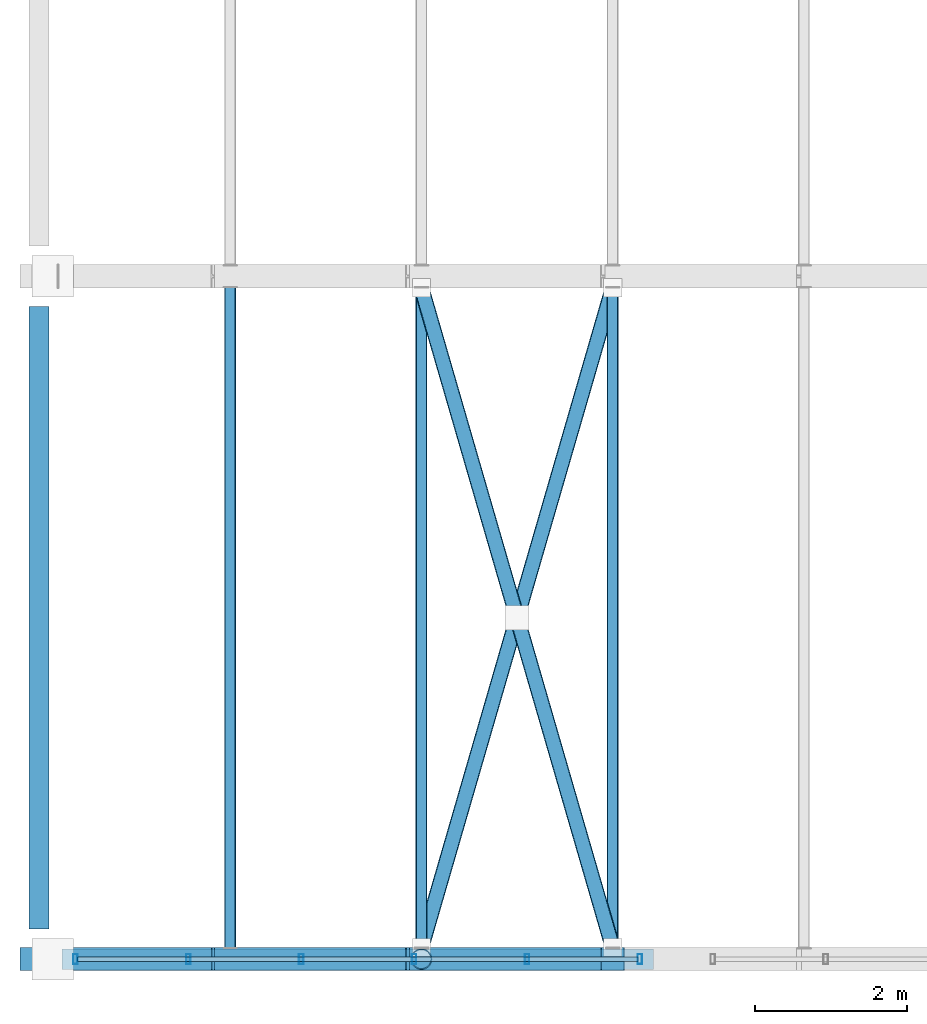
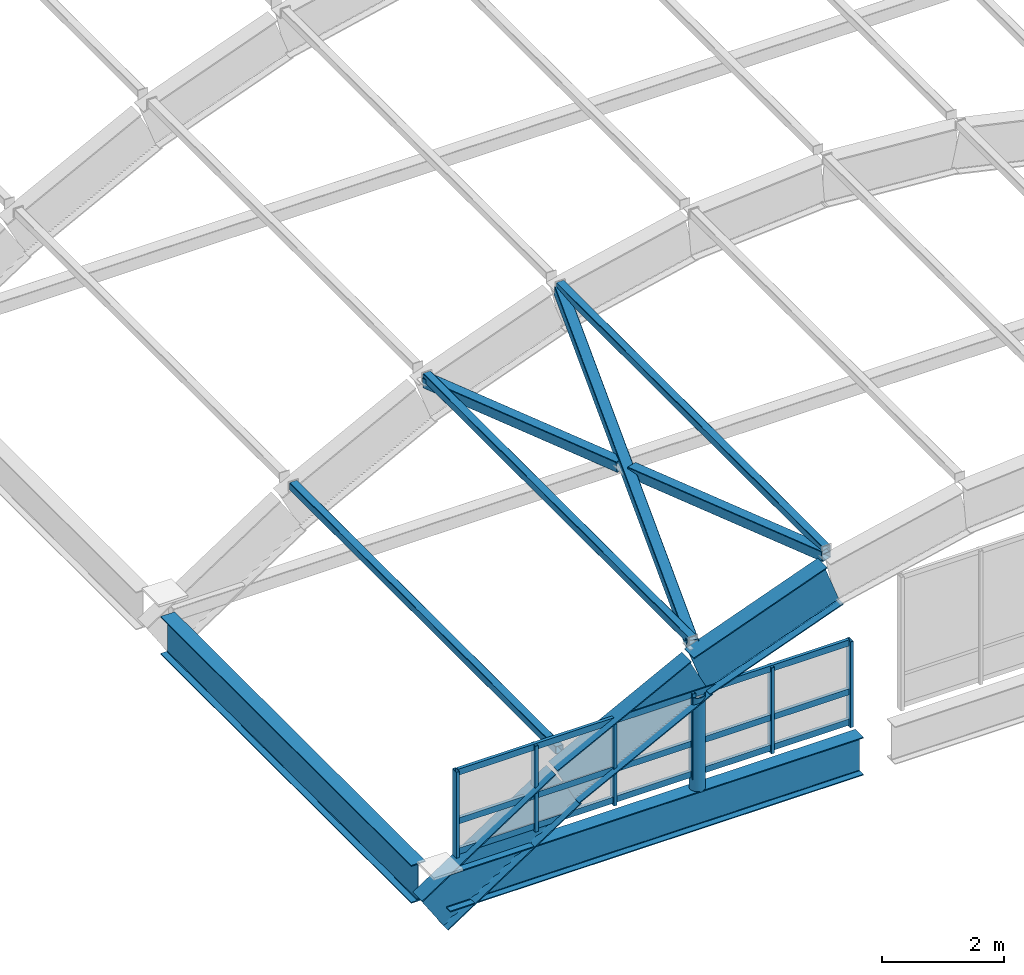
# One storey, part 8 of 130: 16 members, 5 beams, 1 element without a shape of its own.
"""IFC4 building model written with IfcOpenShell, lengths in metres."""

from ifc_helpers import new_model, si_unit, direction, frame, origin, origin_2d, place, context, subcontext, project, spatial, hollow_rectangle, hollow_circle, i_section, extrude, material, layer, layer_set, material_profile, profile_set, type_object, element, aggregate, save


model = new_model("IFC4")

# Units and contexts
model_context = context("Model", 3, precision=1e-05, world=origin(), true_north=direction((0.0, 1.0)))
body_context = subcontext(model_context, "Body", "Model", "MODEL_VIEW")
ifc_project = project(units=[si_unit("LENGTHUNIT", "METRE"), si_unit("AREAUNIT", "SQUARE_METRE"), si_unit("VOLUMEUNIT", "CUBIC_METRE"), si_unit("PLANEANGLEUNIT", "RADIAN"), si_unit("MASSUNIT", "GRAM", prefix="KILO")], contexts=[model_context])

# Site, building, storey
site_placement = place(None, origin())
site = spatial("IfcSite", under=ifc_project, at=site_placement, CompositionType="ELEMENT")
building_placement = place(site_placement, origin())
building = spatial("IfcBuilding", under=site, at=building_placement, Name="Vireocrest Preparatory School", CompositionType="ELEMENT")
storey_placement = place(building_placement, frame((0.0, 0.0, 9.0)))
storey = spatial("IfcBuildingStorey", under=building, at=storey_placement, Name="L02", CompositionType="ELEMENT", Elevation=9.0)

# Members
ifc_material_1 = material(Name="Structural steel ASTM A500 Grade C", Category="steel")
ifc_material_profile_1 = material_profile(ifc_material_1, hollow_rectangle(XDim=0.15234375, YDim=0.15234375, WallThickness=0.0087890625, InnerFilletRadius=0.0087890625, OuterFilletRadius=0.017822265625, at=origin_2d()), Name="HSS6X6X3/8")
ifc_profile_set_1 = profile_set([ifc_material_profile_1], Name="Structural steel ASTM A500 Grade C")
member_type_1 = type_object("IfcMemberType", Name="Barrel Vault Steel Purlin HSS6X6X3/8", PredefinedType="PURLIN", material=ifc_profile_set_1)
for number, where, z_axis, x_axis, name in (
    (1, (2.52001953125, 9.1474609375, 1.32177734375), (0.0, 1.0, 0.0), (-1.0, 0.0, 0.0), "Sports Hall Barrel Vault Roof Purlin 1-2"),
    (2, (5.0400390625, 9.1474609375, 2.620849609375), (0.0, 1.0, 0.0), (-1.0, 0.0, 0.0), "Sports Hall Barrel Vault Roof Purlin 1-3"),
    (3, (7.56005859375, 9.1474609375, 3.552001953125), (0.0, 1.0, 0.0), (-1.0, 0.0, 0.0), "Sports Hall Barrel Vault Roof Purlin 1-4"),
):
    element("IfcMember", number, at=place(storey_placement, frame(where, z_axis=z_axis, x_axis=x_axis)), inside=storey, type_object=member_type_1, Name=name, PredefinedType="PURLIN", context=body_context, shape_type="SweptSolid", body=[
        extrude(hollow_rectangle(XDim=0.15234375, YDim=0.15234375, WallThickness=0.0087890625, InnerFilletRadius=0.0087890625, OuterFilletRadius=0.017822265625, at=origin_2d()), origin(), (0.0, 0.0, 1.0), 8.705078125),
    ])

# Curtain wall, members
ifc_material_2 = material(Name="Thermally broken aluminium EN AW-6063-T6", Category="aluminium")
ifc_layer = layer(ifc_material_2, 0.179931640625)
ifc_layer_set = layer_set([ifc_layer], Name="Thermally broken aluminium EN AW-6063-T6")
curtain_wall_type = type_object("IfcCurtainWallType", Name="Vault Gable Clerestory 8400x2600", PredefinedType="USERDEFINED", material=ifc_layer_set)
curtain_wall_placement = place(storey_placement, origin())
curtain_wall = element("IfcCurtainWall", 4, at=curtain_wall_placement, inside=storey, type_object=curtain_wall_type, Name="Curtain Wall CW13 CW_L02_CW13_0004_0090_090", ObjectType="CURTAIN WALL", PredefinedType="USERDEFINED")
ifc_material_profile_2 = material_profile(ifc_material_2, hollow_rectangle(XDim=0.06005859375, YDim=0.135009765625, WallThickness=0.00390625, at=origin_2d()), Name="ALU 60x135x4")
ifc_profile_set_2 = profile_set([ifc_material_profile_2], Name="Thermally broken aluminium EN AW-6063-T6")
member_type_2 = type_object("IfcMemberType", Name="CW Clerestory Mullion 60x135x4", PredefinedType="MULLION", material=ifc_profile_set_2)
member_1_placement = place(storey_placement, frame((0.47998046875, 9.0, 0.0), z_axis=(0.0, 0.0, 1.0), x_axis=(1.0, 0.0, 0.0)))
member_1 = element("IfcMember", 5, at=member_1_placement, type_object=member_type_2, Name="CW Mullion ML6 CW_L02_CW13_0004_0090_090-1", PredefinedType="MULLION", context=body_context, shape_type="SweptSolid", body=[
    extrude(hollow_rectangle(XDim=0.06005859375, YDim=0.135009765625, WallThickness=0.00390625, at=origin_2d()), origin(), (0.0, 0.0, 1.0), 1.715087890625),
])
member_2_placement = place(storey_placement, frame((1.968017578125, 9.0, 0.0), z_axis=(0.0, 0.0, 1.0), x_axis=(1.0, 0.0, 0.0)))
member_2 = element("IfcMember", 6, at=member_2_placement, type_object=member_type_2, Name="CW Mullion ML6 CW_L02_CW13_0004_0090_090-2", PredefinedType="MULLION", context=body_context, shape_type="SweptSolid", body=[
    extrude(hollow_rectangle(XDim=0.06005859375, YDim=0.135009765625, WallThickness=0.00390625, at=origin_2d()), origin(), (0.0, 0.0, 1.0), 1.715087890625),
])
member_3_placement = place(storey_placement, frame((3.4560546875, 9.0, 0.0), z_axis=(0.0, 0.0, 1.0), x_axis=(1.0, 0.0, 0.0)))
member_3 = element("IfcMember", 7, at=member_3_placement, type_object=member_type_2, Name="CW Mullion ML6 CW_L02_CW13_0004_0090_090-3", PredefinedType="MULLION", context=body_context, shape_type="SweptSolid", body=[
    extrude(hollow_rectangle(XDim=0.06005859375, YDim=0.135009765625, WallThickness=0.00390625, at=origin_2d()), origin(), (0.0, 0.0, 1.0), 1.715087890625),
])
member_4_placement = place(storey_placement, frame((4.944091796875, 9.0, 0.0), z_axis=(0.0, 0.0, 1.0), x_axis=(1.0, 0.0, 0.0)))
member_4 = element("IfcMember", 8, at=member_4_placement, type_object=member_type_2, Name="CW Mullion ML6 CW_L02_CW13_0004_0090_090-4", PredefinedType="MULLION", context=body_context, shape_type="SweptSolid", body=[
    extrude(hollow_rectangle(XDim=0.06005859375, YDim=0.135009765625, WallThickness=0.00390625, at=origin_2d()), origin(), (0.0, 0.0, 1.0), 1.715087890625),
])
member_5_placement = place(storey_placement, frame((6.431884765625, 9.0, 0.0), z_axis=(0.0, 0.0, 1.0), x_axis=(1.0, 0.0, 0.0)))
member_5 = element("IfcMember", 9, at=member_5_placement, type_object=member_type_2, Name="CW Mullion ML6 CW_L02_CW13_0004_0090_090-5", PredefinedType="MULLION", context=body_context, shape_type="SweptSolid", body=[
    extrude(hollow_rectangle(XDim=0.06005859375, YDim=0.135009765625, WallThickness=0.00390625, at=origin_2d()), origin(), (0.0, 0.0, 1.0), 1.715087890625),
])
member_6_placement = place(storey_placement, frame((7.919921875, 9.0, 0.0), z_axis=(0.0, 0.0, 1.0), x_axis=(1.0, 0.0, 0.0)))
member_6 = element("IfcMember", 10, at=member_6_placement, type_object=member_type_2, Name="CW Mullion ML6 CW_L02_CW13_0004_0090_090-6", PredefinedType="MULLION", context=body_context, shape_type="SweptSolid", body=[
    extrude(hollow_rectangle(XDim=0.06005859375, YDim=0.135009765625, WallThickness=0.00390625, at=origin_2d()), origin(), (0.0, 0.0, 1.0), 1.715087890625),
])
ifc_material_profile_3 = material_profile(ifc_material_2, hollow_rectangle(XDim=0.06005859375, YDim=0.125, WallThickness=0.00390625, at=origin_2d()), Name="ALU 60x125x4")
ifc_profile_set_3 = profile_set([ifc_material_profile_3], Name="Thermally broken aluminium EN AW-6063-T6")
member_type_3 = type_object("IfcMemberType", Name="CW Clerestory Transom 60x125x4", PredefinedType="USERDEFINED", material=ifc_profile_set_3)
member_7_placement = place(storey_placement, frame((0.5048828125, 9.0, 0.094970703125), z_axis=(1.0, 0.0, 0.0), x_axis=(0.0, 1.0, 0.0)))
member_7 = element("IfcMember", 11, at=member_7_placement, type_object=member_type_3, Name="CW Transom TR6 CW_L02_CW13_0004_0090_090-1", ObjectType="TRANSOM", PredefinedType="USERDEFINED", context=body_context, shape_type="SweptSolid", body=[
    extrude(hollow_rectangle(XDim=0.06005859375, YDim=0.125, WallThickness=0.00390625, at=origin_2d()), origin(), (0.0, 0.0, 1.0), 7.39013671875),
])
member_8_placement = place(storey_placement, frame((0.5048828125, 9.0, 0.699951171875), z_axis=(1.0, 0.0, 0.0), x_axis=(0.0, 1.0, 0.0)))
member_8 = element("IfcMember", 12, at=member_8_placement, type_object=member_type_3, Name="CW Transom TR6 CW_L02_CW13_0004_0090_090-2", ObjectType="TRANSOM", PredefinedType="USERDEFINED", context=body_context, shape_type="SweptSolid", body=[
    extrude(hollow_rectangle(XDim=0.06005859375, YDim=0.125, WallThickness=0.00390625, at=origin_2d()), origin(), (0.0, 0.0, 1.0), 7.39013671875),
])
member_9_placement = place(storey_placement, frame((0.5048828125, 9.0, 1.675048828125), z_axis=(1.0, 0.0, 0.0), x_axis=(0.0, 1.0, 0.0)))
member_9 = element("IfcMember", 13, at=member_9_placement, type_object=member_type_3, Name="CW Transom TR6 CW_L02_CW13_0004_0090_090-3", ObjectType="TRANSOM", PredefinedType="USERDEFINED", context=body_context, shape_type="SweptSolid", body=[
    extrude(hollow_rectangle(XDim=0.06005859375, YDim=0.125, WallThickness=0.00390625, at=origin_2d()), origin(), (0.0, 0.0, 1.0), 7.39013671875),
])
aggregate(curtain_wall, [member_1, member_2, member_3, member_4, member_5, member_6, member_7, member_8, member_9])

# Beams
ifc_material_3 = material(Name="Structural steel ASTM A992 Grade 50", Category="steel")
ifc_material_profile_4 = material_profile(ifc_material_3, i_section(OverallWidth=0.304931640625, OverallDepth=0.904052734375, WebThickness=0.01513671875, FlangeThickness=0.02001953125, FilletRadius=0.02392578125, at=origin_2d()), Name="W36X135")
ifc_profile_set_4 = profile_set([ifc_material_profile_4], Name="Structural steel ASTM A992 Grade 50")
beam_type_1 = type_object("IfcBeamType", Name="Sports Hall Barrel Vault Arch Rib W36X135", PredefinedType="BEAM", material=ifc_profile_set_4)
beam_1_placement = place(storey_placement, frame((0.0, 9.0, -0.939208984375), z_axis=(0.835706541366, 0.0, 0.54917627108), x_axis=(0.0, 1.0, 0.0)))
element("IfcBeam", 14, at=beam_1_placement, inside=storey, type_object=beam_type_1, Name="Sports Hall Barrel Vault Roof Arch Rib 1 Seg 1", PredefinedType="BEAM", context=body_context, shape_type="SweptSolid", body=[
    extrude(i_section(OverallWidth=0.304931640625, OverallDepth=0.904052734375, WebThickness=0.01513671875, FlangeThickness=0.02001953125, FilletRadius=0.02392578125, at=origin_2d()), origin(), (0.0, 0.0, 1.0), 3.015380859375),
])
beam_2_placement = place(storey_placement, frame((2.52001953125, 9.0, 0.75), z_axis=(0.888848104135, 0.0, 0.458201972689), x_axis=(0.0, 1.0, 0.0)))
element("IfcBeam", 15, at=beam_2_placement, inside=storey, type_object=beam_type_1, Name="Sports Hall Barrel Vault Roof Arch Rib 1 Seg 2", PredefinedType="BEAM", context=body_context, shape_type="SweptSolid", body=[
    extrude(i_section(OverallWidth=0.304931640625, OverallDepth=0.904052734375, WebThickness=0.01513671875, FlangeThickness=0.02001953125, FilletRadius=0.02392578125, at=origin_2d()), origin(), (0.0, 0.0, 1.0), 2.835205078125),
])
beam_3_placement = place(storey_placement, frame((5.0400390625, 9.0, 2.075439453125), z_axis=(0.938013768211, 0.0, 0.346597995733), x_axis=(0.0, 1.0, 0.0)))
element("IfcBeam", 16, at=beam_3_placement, inside=storey, type_object=beam_type_1, Name="Sports Hall Barrel Vault Roof Arch Rib 1 Seg 3", PredefinedType="BEAM", context=body_context, shape_type="SweptSolid", body=[
    extrude(i_section(OverallWidth=0.304931640625, OverallDepth=0.904052734375, WebThickness=0.01513671875, FlangeThickness=0.02001953125, FilletRadius=0.02392578125, at=origin_2d()), origin(), (0.0, 0.0, 1.0), 2.6865234375),
])
ifc_material_profile_5 = material_profile(ifc_material_3, i_section(OverallWidth=0.26708984375, OverallDepth=0.758056640625, WebThickness=0.013916015625, FlangeThickness=0.019287109375, FilletRadius=0.01904296875, at=origin_2d()), Name="W30X108")
ifc_profile_set_5 = profile_set([ifc_material_profile_5], Name="Structural steel ASTM A992 Grade 50")
beam_type_2 = type_object("IfcBeamType", Name="Sports Hall Vault Ring Beam W30X108", PredefinedType="BEAM", material=ifc_profile_set_5)
beam_4_placement = place(storey_placement, frame((0.0, 9.39990234375, -0.59912109375), z_axis=(0.0, 1.0, 0.0), x_axis=(-1.0, 0.0, 0.0)))
element("IfcBeam", 17, at=beam_4_placement, inside=storey, type_object=beam_type_2, Name="Sports Hall Barrel Vault Roof Ring Beam W 9.0-18.0", PredefinedType="BEAM", context=body_context, shape_type="SweptSolid", body=[
    extrude(i_section(OverallWidth=0.26708984375, OverallDepth=0.758056640625, WebThickness=0.013916015625, FlangeThickness=0.019287109375, FilletRadius=0.01904296875, at=origin_2d()), origin(), (0.0, 0.0, 1.0), 8.2001953125),
])
beam_5_placement = place(storey_placement, frame((0.300048828125, 9.0, -0.59912109375), z_axis=(1.0, 0.0, 0.0), x_axis=(0.0, 1.0, 0.0)))
element("IfcBeam", 18, at=beam_5_placement, inside=storey, type_object=beam_type_2, Name="Sports Hall Barrel Vault Roof Gable Ring Beam S-1", PredefinedType="BEAM", context=body_context, shape_type="SweptSolid", body=[
    extrude(i_section(OverallWidth=0.26708984375, OverallDepth=0.758056640625, WebThickness=0.013916015625, FlangeThickness=0.019287109375, FilletRadius=0.01904296875, at=origin_2d()), origin(), (0.0, 0.0, 1.0), 7.800048828125),
])

# Members
ifc_material_profile_6 = material_profile(ifc_material_1, hollow_rectangle(XDim=0.203125, YDim=0.203125, WallThickness=0.0087890625, InnerFilletRadius=0.0087890625, OuterFilletRadius=0.017822265625, at=origin_2d()), Name="HSS8X8X3/8")
ifc_profile_set_6 = profile_set([ifc_material_profile_6], Name="Structural steel ASTM A500 Grade C")
member_type_4 = type_object("IfcMemberType", Name="Vault Roof Wind X-Brace HSS8X8X3/8", PredefinedType="BRACE", material=ifc_profile_set_6)
member_10_placement = place(storey_placement, frame((5.0400390625, 9.152587890625, 2.52978515625), z_axis=(0.276947425902, 0.955551794814, 0.101098420926), x_axis=(-0.960472845484, 0.278373693241, 0.0)))
element("IfcMember", 19, at=member_10_placement, inside=storey, type_object=member_type_4, Name="Sports Hall Barrel Vault Roof Roof Wind Brace 1-3", PredefinedType="BRACE", context=body_context, shape_type="SweptSolid", body=[
    extrude(hollow_rectangle(XDim=0.203125, YDim=0.203125, WallThickness=0.0087890625, InnerFilletRadius=0.0087890625, OuterFilletRadius=0.017822265625, at=origin_2d()), origin(), (0.0, 0.0, 1.0), 9.099365234375),
])
for number, where, z_axis, x_axis, name in (
    (20, (5.0400390625, 17.847412109375, 2.52978515625), (0.276921797633, -0.955554210145, 0.101145783257), (0.960479920869, 0.278349279877, 0.0), "Sports Hall Barrel Vault Roof Split Roof X-Brace 1-3-1"),
    (21, (6.3359375, 13.375732421875, 3.0029296875), (0.276974348115, -0.955544928936, 0.10108956064), (0.960465075054, 0.278400502158, 0.0), "Sports Hall Barrel Vault Roof Split Roof X-Brace 1-3-2"),
):
    element("IfcMember", number, at=place(storey_placement, frame(where, z_axis=z_axis, x_axis=x_axis)), inside=storey, type_object=member_type_4, Name=name, PredefinedType="BRACE", context=body_context, shape_type="SweptSolid", body=[
        extrude(hollow_rectangle(XDim=0.203125, YDim=0.203125, WallThickness=0.0087890625, InnerFilletRadius=0.0087890625, OuterFilletRadius=0.017822265625, at=origin_2d()), origin(), (0.0, 0.0, 1.0), 4.419677734375),
    ])
ifc_material_4 = material(Name="Painted white steel ASTM A500 Grade C", Category="steel")
ifc_material_profile_7 = material_profile(ifc_material_4, hollow_circle(Radius=0.136474609375, WallThickness=0.0126953125, at=origin_2d()), Name="HSS10.750X0.500")
ifc_profile_set_7 = profile_set([ifc_material_profile_7], Name="Painted white steel ASTM A500 Grade C")
member_type_5 = type_object("IfcMemberType", Name="White Steel Clerestory Strut HSS10.750X0.500", PredefinedType="USERDEFINED", material=ifc_profile_set_7)
member_11_placement = place(storey_placement, frame((5.0400390625, 9.0, -0.239990234375), z_axis=(0.0, 0.0, 1.0), x_axis=(1.0, 0.0, 0.0)))
element("IfcMember", 22, at=member_11_placement, inside=storey, type_object=member_type_5, Name="Sports Hall Barrel Vault Roof Gable Mullion Post 1-2", ObjectType="STRUT", PredefinedType="USERDEFINED", context=body_context, shape_type="SweptSolid", body=[
    extrude(hollow_circle(Radius=0.136474609375, WallThickness=0.0126953125, at=origin_2d()), origin(), (0.0, 0.0, 1.0), 1.883544921875),
])

save(model, "model.ifc")
